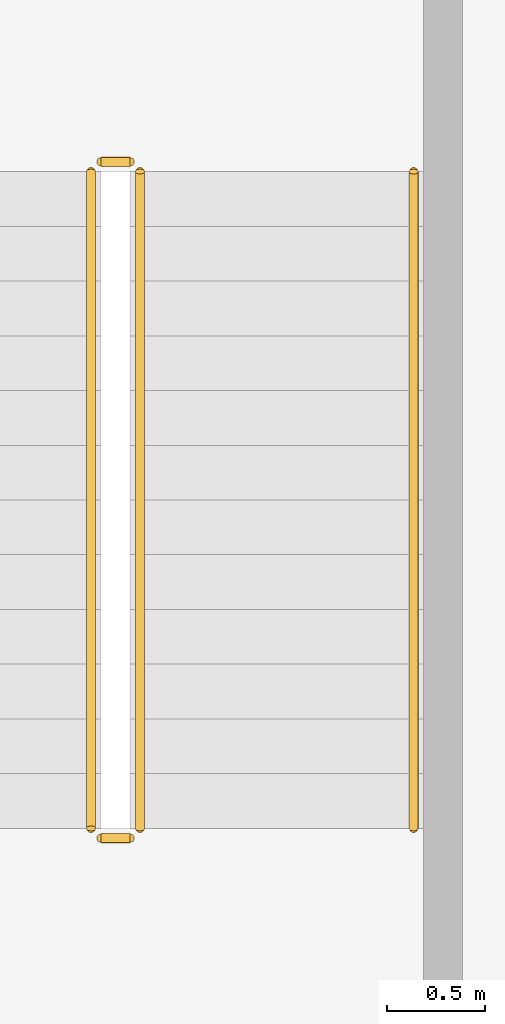
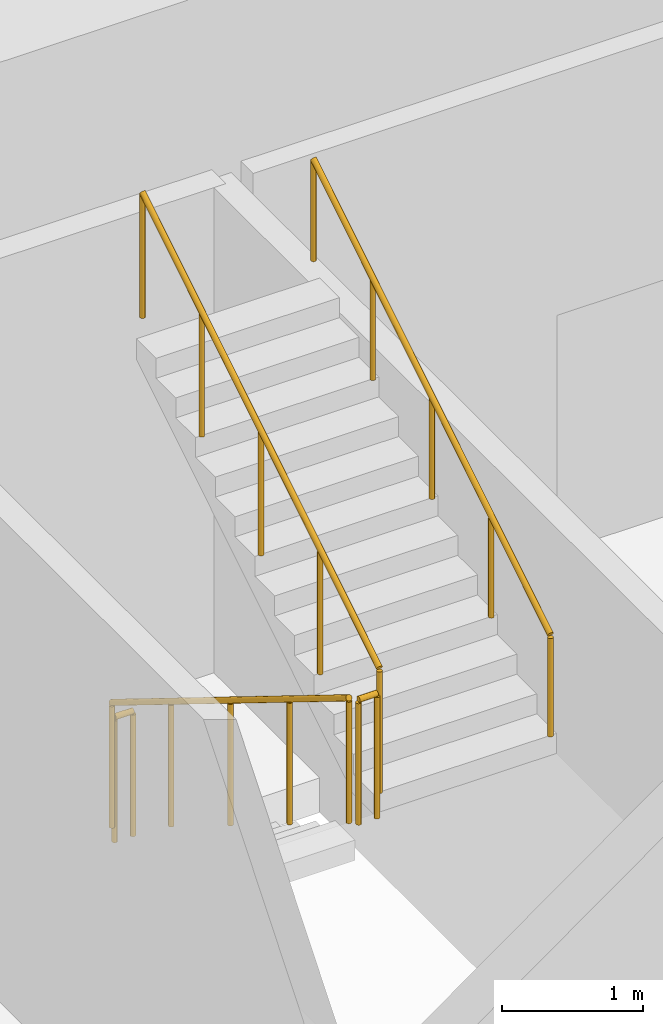
# One storey, part 64 of 71: 5 railings.
"""IFC4 building model written with IfcOpenShell, lengths in metres."""

from ifc_helpers import new_model, si_unit, direction, frame, origin, origin_2d, place, context, subcontext, project, spatial, circle, extrude, material, type_object, element, save


model = new_model("IFC4")

# Units and contexts
model_context = context("Model", 3, precision=1e-05, world=origin(), true_north=direction((0.0, 1.0)))
body_context = subcontext(model_context, "Body", "Model", "MODEL_VIEW")
ifc_project = project(units=[si_unit("LENGTHUNIT", "METRE"), si_unit("AREAUNIT", "SQUARE_METRE"), si_unit("VOLUMEUNIT", "CUBIC_METRE"), si_unit("PLANEANGLEUNIT", "RADIAN"), si_unit("MASSUNIT", "GRAM", prefix="KILO")], contexts=[model_context])

# Site, building, storey
site_placement = place(None, origin())
site = spatial("IfcSite", under=ifc_project, at=site_placement, CompositionType="ELEMENT")
building_placement = place(site_placement, origin())
building = spatial("IfcBuilding", under=site, at=building_placement, Name="Ostrander Bayou Hotel Tower", CompositionType="ELEMENT")
storey_placement = place(building_placement, frame((0.0, 0.0, 10.0)))
storey = spatial("IfcBuildingStorey", under=building, at=storey_placement, Name="L02", CompositionType="ELEMENT", Elevation=10.0)

# Railings
ifc_material_1 = material(Name="Steel ASTM A500 Gr C", Category="steel")
railing_type_1 = type_object("IfcRailingType", Name="GR1 stair guard 1100 mm steel", PredefinedType="GUARDRAIL", material=ifc_material_1)
railing_1_placement = place(storey_placement, frame((-7.60009765625, -5.300048828125, 0.173095703125)))
element("IfcRailing", 1, at=railing_1_placement, inside=storey, type_object=railing_type_1, Name="L02 STD stair guard 1", PredefinedType="GUARDRAIL", context=body_context, shape_type="SweptSolid", body=[
    extrude(circle(Radius=0.02392578125, at=origin_2d()), frame((0.0, 0.0, 1.076171875), z_axis=(0.0, -0.850606129759, 0.525803396734), x_axis=(1.0, 0.0, 0.0)), (0.0, 0.0, 1.0), 3.949951171875),
    extrude(circle(Radius=0.02099609375, at=origin_2d()), origin(), (0.0, 0.0, 1.0), 1.052001953125),
    extrude(circle(Radius=0.02099609375, at=origin_2d()), frame((0.0, -0.83984375, 0.519287109375)), (0.0, 0.0, 1.0), 1.052001953125),
    extrude(circle(Radius=0.02099609375, at=origin_2d()), frame((0.0, -1.679931640625, 1.03857421875)), (0.0, 0.0, 1.0), 1.052001953125),
    extrude(circle(Radius=0.02099609375, at=origin_2d()), frame((0.0, -2.52001953125, 1.5576171875)), (0.0, 0.0, 1.0), 1.052001953125),
    extrude(circle(Radius=0.02099609375, at=origin_2d()), frame((0.0, -3.35986328125, 2.076904296875)), (0.0, 0.0, 1.0), 1.052001953125),
])
railing_2_placement = place(storey_placement, frame((-7.550048828125, -8.7099609375, 2.25)))
element("IfcRailing", 2, at=railing_2_placement, inside=storey, type_object=railing_type_1, Name="L02 STD stair guard 2", PredefinedType="GUARDRAIL", context=body_context, shape_type="SweptSolid", body=[
    extrude(circle(Radius=0.02392578125, at=origin_2d()), frame((0.0, 0.0, 1.076171875), z_axis=(1.0, 0.0, 0.0), x_axis=(0.0, 1.0, 0.0)), (0.0, 0.0, 1.0), 0.150146484375),
    extrude(circle(Radius=0.02099609375, at=origin_2d()), origin(), (0.0, 0.0, 1.0), 1.052001953125),
    extrude(circle(Radius=0.02099609375, at=origin_2d()), frame((0.150146484375, 0.0, 0.0)), (0.0, 0.0, 1.0), 1.052001953125),
])
railing_3_placement = place(storey_placement, frame((-7.35009765625, -8.659912109375, 2.423095703125)))
element("IfcRailing", 3, at=railing_3_placement, inside=storey, type_object=railing_type_1, Name="L02 STD stair guard 3", PredefinedType="GUARDRAIL", context=body_context, shape_type="SweptSolid", body=[
    extrude(circle(Radius=0.02392578125, at=origin_2d()), frame((0.0, 0.0, 1.076171875), z_axis=(0.0, 0.850606129759, 0.525803396734), x_axis=(-1.0, 0.0, 0.0)), (0.0, 0.0, 1.0), 3.949951171875),
    extrude(circle(Radius=0.02099609375, at=origin_2d()), origin(), (0.0, 0.0, 1.0), 1.052001953125),
    extrude(circle(Radius=0.02099609375, at=origin_2d()), frame((0.0, 0.83984375, 0.519287109375)), (0.0, 0.0, 1.0), 1.052001953125),
    extrude(circle(Radius=0.02099609375, at=origin_2d()), frame((0.0, 1.679931640625, 1.03857421875)), (0.0, 0.0, 1.0), 1.052001953125),
    extrude(circle(Radius=0.02099609375, at=origin_2d()), frame((0.0, 2.52001953125, 1.5576171875)), (0.0, 0.0, 1.0), 1.052001953125),
    extrude(circle(Radius=0.02099609375, at=origin_2d()), frame((0.0, 3.35986328125, 2.076904296875)), (0.0, 0.0, 1.0), 1.052001953125),
])
railing_4_placement = place(storey_placement, frame((-7.550048828125, -5.25, 0.0)))
element("IfcRailing", 4, at=railing_4_placement, inside=storey, type_object=railing_type_1, Name="L02 STD stair guard 4", PredefinedType="GUARDRAIL", context=body_context, shape_type="SweptSolid", body=[
    extrude(circle(Radius=0.02392578125, at=origin_2d()), frame((0.0, 0.0, 1.076171875), z_axis=(1.0, 0.0, 0.0), x_axis=(0.0, 1.0, 0.0)), (0.0, 0.0, 1.0), 0.150146484375),
    extrude(circle(Radius=0.02099609375, at=origin_2d()), origin(), (0.0, 0.0, 1.0), 1.052001953125),
    extrude(circle(Radius=0.02099609375, at=origin_2d()), frame((0.150146484375, 0.0, 0.0)), (0.0, 0.0, 1.0), 1.052001953125),
])
ifc_material_2 = material(Name="Steel ASTM A500 Gr C", Category="steel")
railing_type_2 = type_object("IfcRailingType", Name="HR1 stair handrail 900 mm steel", PredefinedType="HANDRAIL", material=ifc_material_2)
railing_5_placement = place(storey_placement, frame((-5.949951171875, -8.659912109375, 2.423095703125)))
element("IfcRailing", 5, at=railing_5_placement, inside=storey, type_object=railing_type_2, Name="L02 STD stair handrail 2", PredefinedType="HANDRAIL", context=body_context, shape_type="SweptSolid", body=[
    extrude(circle(Radius=0.02392578125, at=origin_2d()), frame((0.0, 0.0, 0.8759765625), z_axis=(0.0, 0.850606129759, 0.525803396734), x_axis=(-1.0, 0.0, 0.0)), (0.0, 0.0, 1.0), 3.949951171875),
    extrude(circle(Radius=0.02099609375, at=origin_2d()), origin(), (0.0, 0.0, 1.0), 0.851806640625),
    extrude(circle(Radius=0.02099609375, at=origin_2d()), frame((0.0, 0.83984375, 0.519287109375)), (0.0, 0.0, 1.0), 0.851806640625),
    extrude(circle(Radius=0.02099609375, at=origin_2d()), frame((0.0, 1.679931640625, 1.03857421875)), (0.0, 0.0, 1.0), 0.851806640625),
    extrude(circle(Radius=0.02099609375, at=origin_2d()), frame((0.0, 2.52001953125, 1.5576171875)), (0.0, 0.0, 1.0), 0.851806640625),
    extrude(circle(Radius=0.02099609375, at=origin_2d()), frame((0.0, 3.35986328125, 2.076904296875)), (0.0, 0.0, 1.0), 0.851806640625),
])

save(model, "model.ifc")
